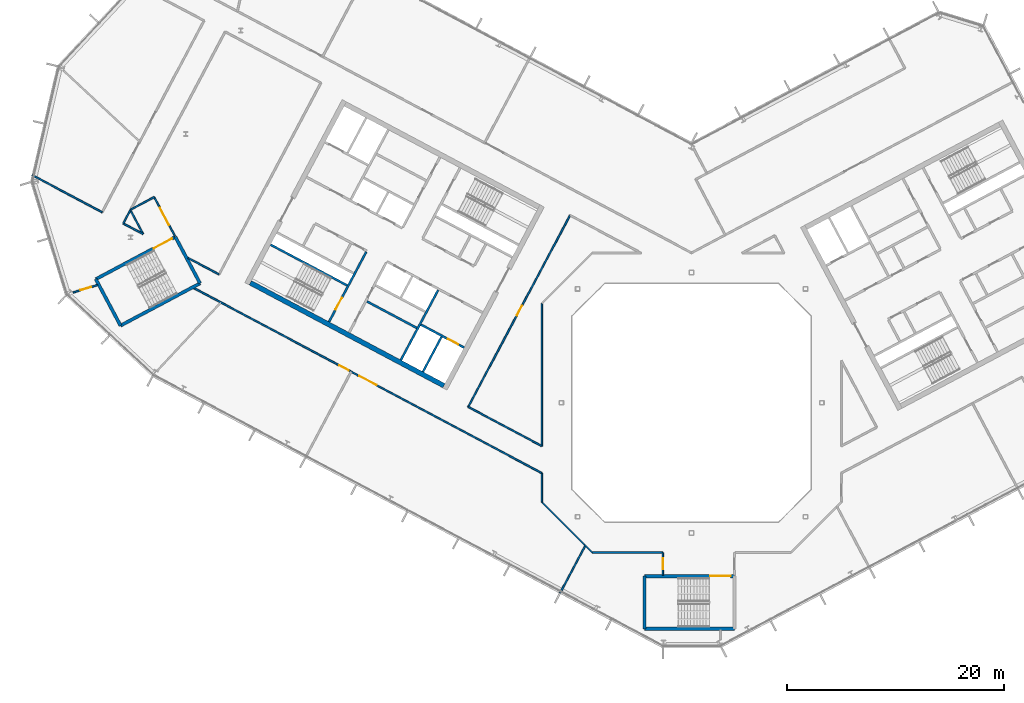
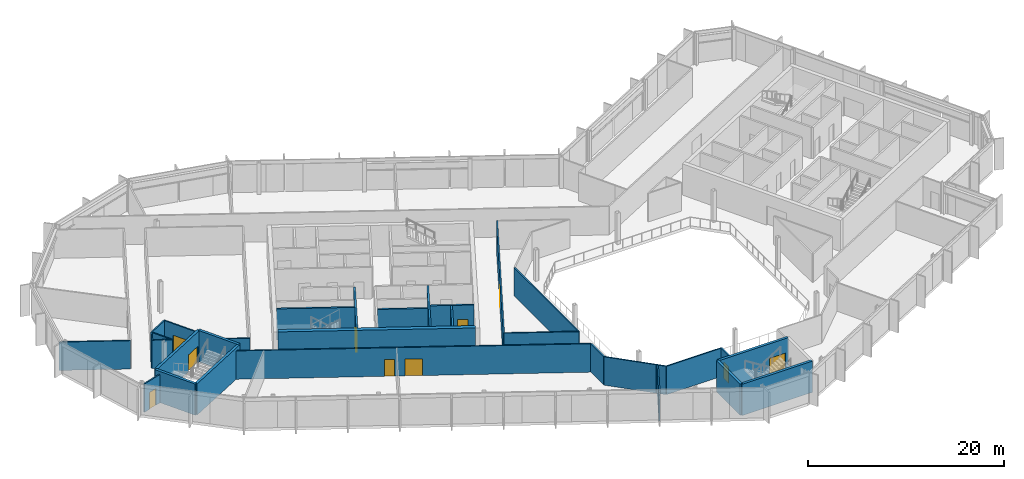
# One storey, part 12 of 25: 32 walls, 10 doors, 10 openings.
"""IFC4 building model written with IfcOpenShell, lengths in metres."""

import ifcopenshell
import ifcopenshell.guid

model = None  # the IFC model being written
_history = None  # IfcOwnerHistory: only IFC2X3 demands one
_inside = {}  # id of a spatial element -> (the spatial element, [elements in it])
_under = {}  # id of a project, library or spatial element -> (it, [spatial elements below it])
_declared = {}  # id of a project -> (the project, [libraries it declares])
_typed = {}  # id of a type object -> (the type object, [elements of that type])
_made_of = {}  # id of a material, layer set ... -> (it, [elements and type objects made of it])


def new_model(schema):
    """Start an empty IFC model of exactly this schema.

    Asked for "IFC4X3", IfcOpenShell would pick the latest addendum, in which some entities
    have other attributes; the version numbers below select the first issue.
    IFC2X3 requires an IfcOwnerHistory on every rooted entity: one is made here for all.
    """
    global model, _history
    if schema == "IFC4X3":
        model = ifcopenshell.file(schema_version=(4, 3, 0, 0))
    else:
        model = ifcopenshell.file(schema=schema)
    _inside.clear()
    _under.clear()
    _declared.clear()
    _typed.clear()
    _made_of.clear()
    _history = None
    if model.schema == "IFC2X3":
        org = make("IfcOrganization", Name="unknown")
        user = make(
            "IfcPersonAndOrganization",
            ThePerson=make("IfcPerson", FamilyName="unknown"),
            TheOrganization=org,
        )
        app = make(
            "IfcApplication",
            ApplicationDeveloper=org,
            Version="unknown",
            ApplicationFullName="unknown",
            ApplicationIdentifier="unknown",
        )
        _history = make(
            "IfcOwnerHistory",
            OwningUser=user,
            OwningApplication=app,
            ChangeAction="ADDED",
            CreationDate=0,
        )
    return model


def make(cls, **values):
    """One entity of the class cls with the attributes given. An attribute that is None is left unset."""
    return model.create_entity(
        cls, **{name: value for name, value in values.items() if value is not None}
    )


def rooted(cls, **values):
    """An entity with a GlobalId (a new one), such as an element, a storey or a relation."""
    return make(cls, GlobalId=ifcopenshell.guid.new(), OwnerHistory=_history, **values)


def si_unit(unit_type, name, prefix=None):
    """IfcSIUnit, for example si_unit("LENGTHUNIT", "METRE", prefix="MILLI")."""
    return make("IfcSIUnit", UnitType=unit_type, Prefix=prefix, Name=name)


def assignment(units):
    """IfcUnitAssignment: the units of a project."""
    return None if units is None else make("IfcUnitAssignment", Units=units)


def point(xyz):
    """IfcCartesianPoint."""
    return None if xyz is None else make("IfcCartesianPoint", Coordinates=xyz)


def direction(xyz):
    """IfcDirection."""
    return None if xyz is None else make("IfcDirection", DirectionRatios=xyz)


def frame(location, z_axis=None, x_axis=None):
    """IfcAxis2Placement3D, a coordinate frame: its origin and axes. An axis left out is left unset."""
    return make(
        "IfcAxis2Placement3D",
        Location=point(location),
        Axis=direction(z_axis),
        RefDirection=direction(x_axis),
    )


def frame_2d(location, x_axis=None):
    """IfcAxis2Placement2D, a coordinate frame in the plane: its origin and x axis."""
    return make(
        "IfcAxis2Placement2D", Location=point(location), RefDirection=direction(x_axis)
    )


def origin():
    """The frame at (0, 0, 0) with its axes left unset."""
    return frame((0.0, 0.0, 0.0))


def place(relative_to, where):
    """IfcLocalPlacement: puts the frame where relative to a parent placement (None: the world)."""
    return make(
        "IfcLocalPlacement", PlacementRelTo=relative_to, RelativePlacement=where
    )


def context(
    kind, dimensions, precision=None, world=None, true_north=None, identifier=None
):
    """IfcGeometricRepresentationContext, for example the 3D "Model" context."""
    return make(
        "IfcGeometricRepresentationContext",
        ContextIdentifier=identifier,
        ContextType=kind,
        CoordinateSpaceDimension=dimensions,
        Precision=precision,
        WorldCoordinateSystem=world,
        TrueNorth=true_north,
    )


def subcontext(parent, identifier, kind, view, scale=None):
    """IfcGeometricRepresentationSubContext, for example "Body" below "Model"."""
    return make(
        "IfcGeometricRepresentationSubContext",
        ContextIdentifier=identifier,
        ContextType=kind,
        ParentContext=parent,
        TargetScale=scale,
        TargetView=view,
    )


def project(units=None, contexts=None):
    """IfcProject with its units and contexts."""
    return rooted(
        "IfcProject",
        Name="project",
        RepresentationContexts=contexts,
        UnitsInContext=assignment(units),
    )


def spatial(cls, under=None, at=None, **own):
    """A site, building, storey or space (cls), placed at a placement, below another one or the project."""
    s = rooted(cls, ObjectPlacement=at, **own)
    if under is not None:
        _under.setdefault(under.id(), (under, []))[1].append(s)
    return s


def profile(cls, at=None, kind="AREA", **sizes):
    """A parametric profile (cls). Its sizes go by their IFC names, for example OverallWidth=200.0."""
    return make(cls, ProfileType=kind, Position=at, **sizes)


def rectangle(**sizes):
    """IfcRectangleProfileDef."""
    return profile("IfcRectangleProfileDef", **sizes)


def extrude(swept, where, along, depth):
    """IfcExtrudedAreaSolid: the profile swept, set in the frame where, extruded along a direction by depth."""
    return make(
        "IfcExtrudedAreaSolid",
        SweptArea=swept,
        Position=where,
        ExtrudedDirection=direction(along),
        Depth=depth,
    )


def shape(context_of_items, identifier, shape_type, items):
    """IfcShapeRepresentation: the items that make up one representation, for example the "Body"."""
    return make(
        "IfcShapeRepresentation",
        ContextOfItems=context_of_items,
        RepresentationIdentifier=identifier,
        RepresentationType=shape_type,
        Items=items,
    )


def material(Name=None, Category=None):
    """IfcMaterial."""
    return make("IfcMaterial", Name=Name, Category=Category)


def layer(
    of_material, thickness, ventilated=None, Name=None, Category=None, Priority=None
):
    """IfcMaterialLayer: one layer of a wall or slab, of a material (None: an air gap)."""
    return make(
        "IfcMaterialLayer",
        Material=of_material,
        LayerThickness=thickness,
        IsVentilated=ventilated,
        Name=Name,
        Category=Category,
        Priority=Priority,
    )


def layer_set(layers, Name=None):
    """IfcMaterialLayerSet."""
    return make("IfcMaterialLayerSet", MaterialLayers=layers, LayerSetName=Name)


def made_of(thing, what):
    """Note that an element or type object is made of a material, layer set ...; save() writes the relation."""
    if what is not None:
        _made_of.setdefault(what.id(), (what, []))[1].append(thing)
    return thing


def type_object(cls, material=None, **own):
    """A type object (cls), such as IfcWallType, which elements share."""
    return made_of(rooted(cls, **own), material)


def element(
    cls,
    number,
    at=None,
    inside=None,
    cuts=None,
    type_object=None,
    material=None,
    context=None,
    identifier="Body",
    shape_type=None,
    held_by="IfcProductDefinitionShape",
    body=None,
    shapes=None,
    **own,
):
    """One element of the class cls, such as IfcWall. Its Tag is "e" and its number.

    at: its placement. inside: the storey or other place that contains it. cuts: it is an
    opening in that element (IfcRelVoidsElement). A single representation is given by context,
    identifier, shape_type and body (its items); several are given by shapes. held_by: the class
    of the entity that holds the representations. save() writes the other relations.
    """
    e = rooted(cls, Tag="e%d" % number, ObjectPlacement=at, **own)
    if body is not None:
        shapes = [shape(context, identifier, shape_type, body)]
    if shapes is not None:
        e.Representation = make(held_by, Representations=shapes)
    if inside is not None:
        _inside.setdefault(inside.id(), (inside, []))[1].append(e)
    if cuts is not None:
        rooted(
            "IfcRelVoidsElement", RelatingBuildingElement=cuts, RelatedOpeningElement=e
        )
    if type_object is not None:
        _typed.setdefault(type_object.id(), (type_object, []))[1].append(e)
    return made_of(e, material)


def fill(opening, filler):
    """IfcRelFillsElement: the door or window that sits in an opening."""
    return rooted(
        "IfcRelFillsElement",
        RelatingOpeningElement=opening,
        RelatedBuildingElement=filler,
    )


def aggregate(whole, parts):
    """IfcRelAggregates: a whole, such as a stair, and the parts it consists of."""
    return rooted("IfcRelAggregates", RelatingObject=whole, RelatedObjects=parts)


def save(model, path):
    """Write the relations noted so far, then the file.

    IfcRelAggregates (storeys below a building ...), IfcRelContainedInSpatialStructure (elements
    in a storey), IfcRelDefinesByType, IfcRelAssociatesMaterial and IfcRelDeclares: one each for
    every whole, place, type object, material and project.
    """
    for whole, parts in _under.values():
        aggregate(whole, parts)
    for where, things in _inside.values():
        rooted(
            "IfcRelContainedInSpatialStructure",
            RelatedElements=things,
            RelatingStructure=where,
        )
    for kind, things in _typed.values():
        rooted("IfcRelDefinesByType", RelatedObjects=things, RelatingType=kind)
    for what, things in _made_of.values():
        rooted("IfcRelAssociatesMaterial", RelatedObjects=things, RelatingMaterial=what)
    for by, libraries in _declared.values():
        rooted("IfcRelDeclares", RelatingContext=by, RelatedDefinitions=libraries)
    model.write(path)


model = new_model("IFC4")

# Units and contexts
model_context = context("Model", 3, precision=1e-05, world=origin(), true_north=direction((0.0, 1.0)))
body_context = subcontext(model_context, "Body", "Model", "MODEL_VIEW")
ifc_project = project(units=[si_unit("LENGTHUNIT", "METRE"), si_unit("AREAUNIT", "SQUARE_METRE"), si_unit("VOLUMEUNIT", "CUBIC_METRE"), si_unit("PLANEANGLEUNIT", "RADIAN"), si_unit("MASSUNIT", "GRAM", prefix="KILO")], contexts=[model_context])

# Site, building, storey
site_placement = place(None, origin())
site = spatial("IfcSite", under=ifc_project, at=site_placement, CompositionType="ELEMENT")
building_placement = place(site_placement, origin())
building = spatial("IfcBuilding", under=site, at=building_placement, Name="Cormorant Relay Tower", CompositionType="ELEMENT")
storey_placement = place(building_placement, frame((0.0, 0.0, 273.60009765625)))
storey = spatial("IfcBuildingStorey", under=building, at=storey_placement, Name="L61", CompositionType="ELEMENT", Elevation=273.60009765625)

# Walls
ifc_material_1 = material(Name="Concrete 40 MPa", Category="concrete")
ifc_layer_1 = layer(ifc_material_1, 0.199951171875)
ifc_layer_set_1 = layer_set([ifc_layer_1], Name="Core internal wall 200")
wall_type_1 = type_object("IfcWallType", Name="Core internal wall 200", PredefinedType="SOLIDWALL", material=ifc_layer_set_1)
wall_1_placement = place(storey_placement, frame((-25.326416015625, 6.8974609375, 0.0), z_axis=(0.0, 0.0, 1.0), x_axis=(-0.882953967957, 0.469459572775, 0.0)))
element("IfcWall", 1, at=wall_1_placement, inside=storey, type_object=wall_type_1, Name="L61 core A shaft and room wall", PredefinedType="SOLIDWALL", context=body_context, shape_type="SweptSolid", body=[
    extrude(rectangle(XDim=5.199951171875, YDim=0.199951171875, at=frame_2d((2.60009765625, 0.0))), origin(), (0.0, 0.0, 1.0), 3.89990234375),
])
ifc_material_2 = material(Name="Concrete 50 MPa", Category="concrete")
ifc_layer_2 = layer(ifc_material_2, 0.199951171875)
ifc_layer_set_2 = layer_set([ifc_layer_2], Name="Core shaft wall 200")
wall_type_2 = type_object("IfcWallType", Name="Core shaft wall 200", PredefinedType="SHEAR", material=ifc_layer_set_2)
wall_2_placement = place(storey_placement, frame((-23.04296875, 6.07958984375, 0.0), z_axis=(0.0, 0.0, 1.0), x_axis=(-0.469494272526, -0.882935517501, 0.0)))
element("IfcWall", 2, at=wall_2_placement, inside=storey, type_object=wall_type_2, Name="L61 core A shaft wall", PredefinedType="SHEAR", context=body_context, shape_type="SweptSolid", body=[
    extrude(rectangle(XDim=3.64990234375, YDim=0.199951171875, at=frame_2d((1.824951171875, 0.0))), origin(), (0.0, 0.0, 1.0), 3.89990234375),
])
wall_3_placement = place(storey_placement, frame((-23.360107421875, 10.38232421875, 0.0), z_axis=(0.0, 0.0, 1.0), x_axis=(-0.469480409012, -0.88294288918, 0.0)))
element("IfcWall", 3, at=wall_3_placement, inside=storey, type_object=wall_type_2, Name="L61 core A shaft wall", PredefinedType="SHEAR", context=body_context, shape_type="SweptSolid", body=[
    extrude(rectangle(XDim=7.300048828125, YDim=0.199951171875, at=frame_2d((3.64990234375, 0.0))), origin(), (0.0, 0.0, 1.0), 3.89990234375),
])

# Wall, opening, door
wall_4_placement = place(storey_placement, frame((-29.982421875, 13.9033203125, 0.0), z_axis=(0.0, 0.0, 1.0), x_axis=(-0.469454336211, -0.882956752176, 0.0)))
wall_4 = element("IfcWall", 4, at=wall_4_placement, inside=storey, type_object=wall_type_2, Name="L61 core A shaft wall", PredefinedType="SHEAR", context=body_context, shape_type="SweptSolid", body=[
    extrude(rectangle(XDim=7.300048828125, YDim=0.199951171875, at=frame_2d((3.64990234375, 0.0))), origin(), (0.0, 0.0, 1.0), 3.89990234375),
])
opening_1_placement = place(wall_4_placement, frame((4.800048828125, 0.0, 0.0)))
opening_1 = element("IfcOpeningElement", 5, at=opening_1_placement, cuts=wall_4, Name="Opening CDB-039", PredefinedType="OPENING", context=body_context, shape_type="SweptSolid", body=[
    extrude(rectangle(XDim=1.199951171875, YDim=2.10009765625, at=frame_2d((0.60009765625, 1.050048828125))), frame((0.0, 0.10986328125, 0.0), z_axis=(0.0, -1.0, 0.0), x_axis=(1.0, 0.0, 0.0)), (0.0, 0.0, 1.0), 0.219970703125),
])
ifc_material_3 = material(Name="Steel fire door", Category="steel")
door_type_1 = type_object("IfcDoorType", Name="Core stair door 1200x2100", OperationType="SINGLE_SWING_LEFT", PredefinedType="DOOR", material=ifc_material_3)
door_1_placement = place(opening_1_placement, frame((1.199951171875, 0.0, 0.0), z_axis=(0.0, 0.0, 1.0), x_axis=(-1.0, 0.0, 0.0)))
door_1 = element("IfcDoor", 6, at=door_1_placement, inside=storey, type_object=door_type_1, Name="Core stair door 1200x2100", OperationType="SINGLE_SWING_RIGHT", OverallHeight=2.10009765625, OverallWidth=1.199951171875, PredefinedType="DOOR", context=body_context, shape_type="SweptSolid", body=[
    extrude(rectangle(XDim=1.199951171875, YDim=2.10009765625, at=frame_2d((0.60009765625, 1.050048828125))), frame((0.0, 0.02490234375, 0.0), z_axis=(0.0, -1.0, 0.0), x_axis=(1.0, 0.0, 0.0)), (0.0, 0.0, 1.0), 0.050048828125),
])
fill(opening_1, door_1)

wall_5_placement = place(storey_placement, frame((-20.96533203125, 5.088134765625, 0.0), z_axis=(0.0, 0.0, 1.0), x_axis=(-0.882925986334, 0.469512196493, 0.0)))
wall_5 = element("IfcWall", 7, at=wall_5_placement, inside=storey, type_object=wall_type_2, Name="L61 core A shaft wall", PredefinedType="SHEAR", context=body_context, shape_type="SweptSolid", body=[
    extrude(rectangle(XDim=4.5, YDim=0.199951171875, at=frame_2d((2.25, 0.0))), origin(), (0.0, 0.0, 1.0), 3.89990234375),
])
opening_2_placement = place(wall_5_placement, frame((0.60009765625, 0.0, 0.0)))
opening_2 = element("IfcOpeningElement", 8, at=opening_2_placement, cuts=wall_5, Name="Opening LD1-063", PredefinedType="OPENING", context=body_context, shape_type="SweptSolid", body=[
    extrude(rectangle(XDim=1.10009765625, YDim=2.10009765625, at=frame_2d((0.550048828125, 1.050048828125))), frame((0.0, 0.10986328125, 0.0), z_axis=(0.0, -1.0, 0.0), x_axis=(1.0, 0.0, 0.0)), (0.0, 0.0, 1.0), 0.219970703125),
])
ifc_material_4 = material(Name="Stainless steel 316", Category="steel")
door_type_2 = type_object("IfcDoorType", Name="Lift landing door 1100x2100", OperationType="DOUBLE_DOOR_SLIDING", PredefinedType="DOOR", material=ifc_material_4)
door_2_placement = place(opening_2_placement, origin())
door_2 = element("IfcDoor", 9, at=door_2_placement, inside=storey, type_object=door_type_2, Name="FF1 landing door", OperationType="DOUBLE_DOOR_SLIDING", OverallHeight=2.10009765625, OverallWidth=1.10009765625, PredefinedType="DOOR", context=body_context, shape_type="SweptSolid", body=[
    extrude(rectangle(XDim=1.10009765625, YDim=2.10009765625, at=frame_2d((0.550048828125, 1.050048828125))), frame((0.0, 0.02490234375, 0.0), z_axis=(0.0, -1.0, 0.0), x_axis=(1.0, 0.0, 0.0)), (0.0, 0.0, 1.0), 0.050048828125),
])
fill(opening_2, door_2)

# Walls
wall_6_placement = place(storey_placement, frame((-31.7373046875, 10.815673828125, 0.0), z_axis=(0.0, 0.0, 1.0), x_axis=(-0.882940221191, 0.469485426614, 0.0)))
element("IfcWall", 10, at=wall_6_placement, inside=storey, type_object=wall_type_2, Name="L61 core A shaft wall", PredefinedType="SHEAR", context=body_context, shape_type="SweptSolid", body=[
    extrude(rectangle(XDim=8.0, YDim=0.199951171875, at=frame_2d((4.0, 0.0))), origin(), (0.0, 0.0, 1.0), 3.89990234375),
])
ifc_material_5 = material(Name="Concrete 50 MPa", Category="concrete")
ifc_layer_3 = layer(ifc_material_5, 0.449951171875)
ifc_layer_set_3 = layer_set([ifc_layer_3], Name="Core wall 450")
wall_type_3 = type_object("IfcWallType", Name="Core wall 450", PredefinedType="SHEAR", material=ifc_layer_set_3)
wall_7_placement = place(storey_placement, frame((-22.83154296875, 1.578369140625, 0.0), z_axis=(0.0, 0.0, 1.0), x_axis=(-0.88294509198, 0.469476266226, 0.0)))
element("IfcWall", 11, at=wall_7_placement, inside=storey, type_object=wall_type_3, Name="L61 core A wall", PredefinedType="SHEAR", context=body_context, shape_type="SweptSolid", body=[
    extrude(rectangle(XDim=20.199951171875, YDim=0.449951171875, at=frame_2d((10.10009765625, 0.0))), origin(), (0.0, 0.0, 1.0), 3.89990234375),
])
ifc_material_6 = material(Name="Gypsum board fire partition")
ifc_layer_4 = layer(ifc_material_6, 0.14990234375)
ifc_layer_set_4 = layer_set([ifc_layer_4], Name="Corridor partition 150 EI 60")
wall_type_4 = type_object("IfcWallType", Name="Corridor partition 150 EI 60", PredefinedType="PARTITIONING", material=ifc_layer_set_4)
wall_8_placement = place(storey_placement, frame((-54.31591796875, 17.554931640625, 0.0), z_axis=(0.0, 0.0, 1.0), x_axis=(-0.882945267795, 0.469475935569, 0.0)))
element("IfcWall", 12, at=wall_8_placement, inside=storey, type_object=wall_type_4, Name="wall/L61/part/004", PredefinedType="PARTITIONING", context=body_context, shape_type="SweptSolid", body=[
    extrude(rectangle(XDim=7.32763671875, YDim=0.14990234375, at=frame_2d((3.663818359375, 0.0))), origin(), (0.0, 0.0, 1.0), 3.539794921875),
])

# Wall, opening, door
wall_9_placement = place(storey_placement, frame((-54.73193359375, 10.85693359375, 0.0), z_axis=(0.0, 0.0, 1.0), x_axis=(-0.956231519395, -0.292611143525, 0.0)))
wall_9 = element("IfcWall", 13, at=wall_9_placement, inside=storey, type_object=wall_type_4, Name="wall/L61/part/005", PredefinedType="PARTITIONING", context=body_context, shape_type="SweptSolid", body=[
    extrude(rectangle(XDim=2.385498046875, YDim=0.14990234375, at=frame_2d((1.19287109375, 0.0))), origin(), (0.0, 0.0, 1.0), 3.539794921875),
])
opening_3_placement = place(wall_9_placement, frame((0.64990234375, 0.0, 0.0)))
opening_3 = element("IfcOpeningElement", 14, at=opening_3_placement, cuts=wall_9, Name="Opening DS-205", PredefinedType="OPENING", context=body_context, shape_type="SweptSolid", body=[
    extrude(rectangle(XDim=1.0, YDim=2.10009765625, at=frame_2d((0.5, 1.050048828125))), frame((0.0, 0.0849609375, 0.0), z_axis=(0.0, -1.0, 0.0), x_axis=(1.0, 0.0, 0.0)), (0.0, 0.0, 1.0), 0.169921875),
])
ifc_material_7 = material(Name="Timber door leaf", Category="wood")
door_type_3 = type_object("IfcDoorType", Name="Suite door 1000x2100", OperationType="SINGLE_SWING_LEFT", PredefinedType="DOOR", material=ifc_material_7)
door_3_placement = place(opening_3_placement, origin())
door_3 = element("IfcDoor", 15, at=door_3_placement, inside=storey, type_object=door_type_3, Name="door/L61/008", OperationType="SINGLE_SWING_LEFT", OverallHeight=2.10009765625, OverallWidth=1.0, PredefinedType="DOOR", context=body_context, shape_type="SweptSolid", body=[
    extrude(rectangle(XDim=1.0, YDim=2.10009765625, at=frame_2d((0.5, 1.050048828125))), frame((0.0, 0.02490234375, 0.0), z_axis=(0.0, -1.0, 0.0), x_axis=(1.0, 0.0, 0.0)), (0.0, 0.0, 1.0), 0.050048828125),
])
fill(opening_3, door_3)

wall_10_placement = place(storey_placement, frame((-47.62109375, 15.3779296875, 0.0), z_axis=(0.0, 0.0, 1.0), x_axis=(-0.469542997944, 0.882909606404, 0.0)))
wall_10 = element("IfcWall", 16, at=wall_10_placement, inside=storey, type_object=wall_type_4, Name="wall/L61/part/010", PredefinedType="PARTITIONING", context=body_context, shape_type="SweptSolid", body=[
    extrude(rectangle(XDim=4.050537109375, YDim=0.14990234375, at=frame_2d((2.025390625, 0.0))), origin(), (0.0, 0.0, 1.0), 3.539794921875),
])
opening_4_placement = place(wall_10_placement, frame((1.14990234375, 0.0, 0.0)))
opening_4 = element("IfcOpeningElement", 17, at=opening_4_placement, cuts=wall_10, Name="Opening DD-035", PredefinedType="OPENING", context=body_context, shape_type="SweptSolid", body=[
    extrude(rectangle(XDim=1.800048828125, YDim=2.10009765625, at=frame_2d((0.89990234375, 1.050048828125))), frame((0.0, 0.0849609375, 0.0), z_axis=(0.0, -1.0, 0.0), x_axis=(1.0, 0.0, 0.0)), (0.0, 0.0, 1.0), 0.169921875),
])
ifc_material_8 = material(Name="Timber door leaf", Category="wood")
door_type_4 = type_object("IfcDoorType", Name="Suite double door 1800x2100", OperationType="DOUBLE_DOOR_SINGLE_SWING", PredefinedType="DOOR", material=ifc_material_8)
door_4_placement = place(opening_4_placement, frame((1.800048828125, 0.0, 0.0), z_axis=(0.0, 0.0, 1.0), x_axis=(-1.0, 0.0, 0.0)))
door_4 = element("IfcDoor", 18, at=door_4_placement, inside=storey, type_object=door_type_4, Name="door/L61/003", OperationType="DOUBLE_DOOR_SINGLE_SWING", OverallHeight=2.10009765625, OverallWidth=1.800048828125, PredefinedType="DOOR", context=body_context, shape_type="SweptSolid", body=[
    extrude(rectangle(XDim=1.800048828125, YDim=2.10009765625, at=frame_2d((0.89990234375, 1.050048828125))), frame((0.0, 0.02490234375, 0.0), z_axis=(0.0, -1.0, 0.0), x_axis=(1.0, 0.0, 0.0)), (0.0, 0.0, 1.0), 0.050048828125),
])
fill(opening_4, door_4)

# Walls
wall_11_placement = place(storey_placement, frame((-49.52294921875, 18.9541015625, 0.0), z_axis=(0.0, 0.0, 1.0), x_axis=(-0.882767334528, -0.469810422501, 0.0)))
element("IfcWall", 19, at=wall_11_placement, inside=storey, type_object=wall_type_4, Name="wall/L61/part/011", PredefinedType="PARTITIONING", context=body_context, shape_type="SweptSolid", body=[
    extrude(rectangle(XDim=2.460693359375, YDim=0.14990234375, at=frame_2d((1.23046875, 0.0))), origin(), (0.0, 0.0, 1.0), 3.539794921875),
])
wall_12_placement = place(storey_placement, frame((-43.5439453125, 11.826904296875, 0.0), z_axis=(0.0, 0.0, 1.0), x_axis=(-0.882974130461, 0.469421649411, 0.0)))
element("IfcWall", 20, at=wall_12_placement, inside=storey, type_object=wall_type_4, Name="wall/L61/part/015", PredefinedType="PARTITIONING", context=body_context, shape_type="SweptSolid", body=[
    extrude(rectangle(XDim=3.238037109375, YDim=0.14990234375, at=frame_2d((1.619140625, 0.0))), origin(), (0.0, 0.0, 1.0), 3.539794921875),
])

# Wall, openings, doors
wall_13_placement = place(storey_placement, frame((-13.800048828125, -6.47998046875, 0.0), z_axis=(0.0, 0.0, 1.0), x_axis=(-0.882943991273, 0.469478336322, 0.0)))
wall_13 = element("IfcWall", 21, at=wall_13_placement, inside=storey, type_object=wall_type_4, Name="wall/L61/part/016", PredefinedType="PARTITIONING", context=body_context, shape_type="SweptSolid", body=[
    extrude(rectangle(XDim=36.32958984375, YDim=0.14990234375, at=frame_2d((18.164794921875, 0.0))), origin(), (0.0, 0.0, 1.0), 3.539794921875),
])
opening_5_placement = place(wall_13_placement, frame((20.14990234375, 0.0, 0.0)))
opening_5 = element("IfcOpeningElement", 22, at=opening_5_placement, cuts=wall_13, Name="Opening DS-215", PredefinedType="OPENING", context=body_context, shape_type="SweptSolid", body=[
    extrude(rectangle(XDim=1.0, YDim=2.10009765625, at=frame_2d((0.5, 1.050048828125))), frame((0.0, 0.0849609375, 0.0), z_axis=(0.0, -1.0, 0.0), x_axis=(1.0, 0.0, 0.0)), (0.0, 0.0, 1.0), 0.169921875),
])
opening_6_placement = place(wall_13_placement, frame((17.25, 0.0, 0.0)))
opening_6 = element("IfcOpeningElement", 23, at=opening_6_placement, cuts=wall_13, Name="Opening DD-037", PredefinedType="OPENING", context=body_context, shape_type="SweptSolid", body=[
    extrude(rectangle(XDim=1.800048828125, YDim=2.10009765625, at=frame_2d((0.89990234375, 1.050048828125))), frame((0.0, 0.0849609375, 0.0), z_axis=(0.0, -1.0, 0.0), x_axis=(1.0, 0.0, 0.0)), (0.0, 0.0, 1.0), 0.169921875),
])
door_5_placement = place(opening_5_placement, origin())
door_5 = element("IfcDoor", 24, at=door_5_placement, inside=storey, type_object=door_type_3, Name="door/L61/009", OperationType="SINGLE_SWING_LEFT", OverallHeight=2.10009765625, OverallWidth=1.0, PredefinedType="DOOR", context=body_context, shape_type="SweptSolid", body=[
    extrude(rectangle(XDim=1.0, YDim=2.10009765625, at=frame_2d((0.5, 1.050048828125))), frame((0.0, 0.02490234375, 0.0), z_axis=(0.0, -1.0, 0.0), x_axis=(1.0, 0.0, 0.0)), (0.0, 0.0, 1.0), 0.050048828125),
])
fill(opening_5, door_5)
door_6_placement = place(opening_6_placement, origin())
door_6 = element("IfcDoor", 25, at=door_6_placement, inside=storey, type_object=door_type_4, Name="door/L61/010", OperationType="DOUBLE_DOOR_SINGLE_SWING", OverallHeight=2.10009765625, OverallWidth=1.800048828125, PredefinedType="DOOR", context=body_context, shape_type="SweptSolid", body=[
    extrude(rectangle(XDim=1.800048828125, YDim=2.10009765625, at=frame_2d((0.89990234375, 1.050048828125))), frame((0.0, 0.02490234375, 0.0), z_axis=(0.0, -1.0, 0.0), x_axis=(1.0, 0.0, 0.0)), (0.0, 0.0, 1.0), 0.050048828125),
])
fill(opening_6, door_6)

# Walls
wall_14_placement = place(storey_placement, frame((-9.89892578125, -13.06005859375, 0.0), z_axis=(0.0, 0.0, 1.0), x_axis=(-0.707195291234, 0.707018260058, 0.0)))
element("IfcWall", 26, at=wall_14_placement, inside=storey, type_object=wall_type_4, Name="wall/L61/part/021", PredefinedType="PARTITIONING", context=body_context, shape_type="SweptSolid", body=[
    extrude(rectangle(XDim=5.516357421875, YDim=0.14990234375, at=frame_2d((2.75830078125, 0.0))), origin(), (0.0, 0.0, 1.0), 3.539794921875),
])
wall_15_placement = place(storey_placement, frame((-13.800048828125, -9.159912109375, 0.0), z_axis=(0.0, 0.0, 1.0), x_axis=(0.0, 1.0, 0.0)))
element("IfcWall", 27, at=wall_15_placement, inside=storey, type_object=wall_type_4, Name="wall/L61/part/022", PredefinedType="PARTITIONING", context=body_context, shape_type="SweptSolid", body=[
    extrude(rectangle(XDim=2.65380859375, YDim=0.14990234375, at=frame_2d((1.326904296875, 0.0))), origin(), (0.0, 0.0, 1.0), 3.539794921875),
])
wall_16_placement = place(storey_placement, frame((-9.159912109375, -13.800048828125, 0.0), z_axis=(0.0, 0.0, 1.0), x_axis=(-0.706639735909, 0.707573518183, 0.0)))
element("IfcWall", 28, at=wall_16_placement, inside=storey, type_object=wall_type_4, Name="wall/L61/part/024", PredefinedType="PARTITIONING", context=body_context, shape_type="SweptSolid", body=[
    extrude(rectangle(XDim=1.0458984375, YDim=0.14990234375, at=frame_2d((0.52294921875, 0.0))), origin(), (0.0, 0.0, 1.0), 3.539794921875),
])

# Wall, opening, door
wall_17_placement = place(storey_placement, frame((-2.64892578125, -15.875, 0.0), z_axis=(0.0, 0.0, 1.0), x_axis=(0.0, 1.0, 0.0)))
wall_17 = element("IfcWall", 29, at=wall_17_placement, inside=storey, type_object=wall_type_4, Name="wall/L61/part/025", PredefinedType="PARTITIONING", context=body_context, shape_type="SweptSolid", body=[
    extrude(rectangle(XDim=2.074951171875, YDim=0.14990234375, at=frame_2d((1.03759765625, 0.0))), origin(), (0.0, 0.0, 1.0), 3.539794921875),
])
opening_7_placement = place(wall_17_placement, frame((0.550048828125, 0.0, 0.0)))
opening_7 = element("IfcOpeningElement", 30, at=opening_7_placement, cuts=wall_17, Name="Opening DS-216", PredefinedType="OPENING", context=body_context, shape_type="SweptSolid", body=[
    extrude(rectangle(XDim=1.0, YDim=2.10009765625, at=frame_2d((0.5, 1.050048828125))), frame((0.0, 0.0849609375, 0.0), z_axis=(0.0, -1.0, 0.0), x_axis=(1.0, 0.0, 0.0)), (0.0, 0.0, 1.0), 0.169921875),
])
door_7_placement = place(opening_7_placement, origin())
door_7 = element("IfcDoor", 31, at=door_7_placement, inside=storey, type_object=door_type_3, Name="door/L61/011", OperationType="SINGLE_SWING_RIGHT", OverallHeight=2.10009765625, OverallWidth=1.0, PredefinedType="DOOR", context=body_context, shape_type="SweptSolid", body=[
    extrude(rectangle(XDim=1.0, YDim=2.10009765625, at=frame_2d((0.5, 1.050048828125))), frame((0.0, 0.02490234375, 0.0), z_axis=(0.0, -1.0, 0.0), x_axis=(1.0, 0.0, 0.0)), (0.0, 0.0, 1.0), 0.050048828125),
])
fill(opening_7, door_7)

# Walls
wall_18_placement = place(storey_placement, frame((-2.64892578125, -13.800048828125, 0.0), z_axis=(0.0, 0.0, 1.0), x_axis=(-1.0, 0.0, 0.0)))
element("IfcWall", 32, at=wall_18_placement, inside=storey, type_object=wall_type_4, Name="wall/L61/part/026", PredefinedType="PARTITIONING", context=body_context, shape_type="SweptSolid", body=[
    extrude(rectangle(XDim=6.510986328125, YDim=0.14990234375, at=frame_2d((3.25537109375, 0.0))), origin(), (0.0, 0.0, 1.0), 3.539794921875),
])
wall_19_placement = place(storey_placement, frame((-51.717041015625, 17.757080078125, 0.0), z_axis=(0.0, 0.0, 1.0), x_axis=(-0.469618761384, -0.882869310236, 0.0)))
element("IfcWall", 33, at=wall_19_placement, inside=storey, type_object=wall_type_4, Name="wall/L61/part/043", PredefinedType="PARTITIONING", context=body_context, shape_type="SweptSolid", body=[
    extrude(rectangle(XDim=1.39892578125, YDim=0.14990234375, at=frame_2d((0.699462890625, 0.0))), origin(), (0.0, 0.0, 1.0), 3.539794921875),
])
wall_20_placement = place(storey_placement, frame((-52.3740234375, 16.52197265625, 0.0), z_axis=(0.0, 0.0, 1.0), x_axis=(0.882981472085, -0.469407839682, 0.0)))
element("IfcWall", 34, at=wall_20_placement, inside=storey, type_object=wall_type_4, Name="wall/L61/part/044", PredefinedType="PARTITIONING", context=body_context, shape_type="SweptSolid", body=[
    extrude(rectangle(XDim=2.072509765625, YDim=0.14990234375, at=frame_2d((1.0361328125, 0.0))), origin(), (0.0, 0.0, 1.0), 3.539794921875),
])
wall_21_placement = place(storey_placement, frame((-50.5439453125, 15.549072265625, 0.0), z_axis=(0.0, 0.0, 1.0), x_axis=(-0.469183782948, 0.883100547967, 0.0)))
element("IfcWall", 35, at=wall_21_placement, inside=storey, type_object=wall_type_4, Name="wall/L61/part/045", PredefinedType="PARTITIONING", context=body_context, shape_type="SweptSolid", body=[
    extrude(rectangle(XDim=2.500244140625, YDim=0.14990234375, at=frame_2d((1.25, 0.0))), origin(), (0.0, 0.0, 1.0), 3.539794921875),
])

# Wall, opening, door
wall_22_placement = place(storey_placement, frame((-20.587890625, -0.37890625, 0.0), z_axis=(0.0, 0.0, 1.0), x_axis=(0.469489882812, 0.882937851685, 0.0)))
wall_22 = element("IfcWall", 36, at=wall_22_placement, inside=storey, type_object=wall_type_4, Name="wall/L61/part/046", PredefinedType="PARTITIONING", context=body_context, shape_type="SweptSolid", body=[
    extrude(rectangle(XDim=20.000244140625, YDim=0.14990234375, at=frame_2d((10.0, 0.0))), origin(), (0.0, 0.0, 1.0), 3.539794921875),
])
opening_8_placement = place(wall_22_placement, frame((9.550048828125, 0.0, 0.0)))
opening_8 = element("IfcOpeningElement", 37, at=opening_8_placement, cuts=wall_22, Name="Opening DS-117", PredefinedType="OPENING", context=body_context, shape_type="SweptSolid", body=[
    extrude(rectangle(XDim=1.0, YDim=2.10009765625, at=frame_2d((0.5, 1.050048828125))), frame((0.0, 0.0849609375, 0.0), z_axis=(0.0, -1.0, 0.0), x_axis=(1.0, 0.0, 0.0)), (0.0, 0.0, 1.0), 0.169921875),
])
door_8_placement = place(opening_8_placement, frame((1.0, 0.0, 0.0), z_axis=(0.0, 0.0, 1.0), x_axis=(-1.0, 0.0, 0.0)))
door_8 = element("IfcDoor", 38, at=door_8_placement, inside=storey, type_object=door_type_3, Name="door/L61/004", OperationType="SINGLE_SWING_LEFT", OverallHeight=2.10009765625, OverallWidth=1.0, PredefinedType="DOOR", context=body_context, shape_type="SweptSolid", body=[
    extrude(rectangle(XDim=1.0, YDim=2.10009765625, at=frame_2d((0.5, 1.050048828125))), frame((0.0, 0.02490234375, 0.0), z_axis=(0.0, -1.0, 0.0), x_axis=(1.0, 0.0, 0.0)), (0.0, 0.0, 1.0), 0.050048828125),
])
fill(opening_8, door_8)

# Walls
wall_23_placement = place(storey_placement, frame((-13.800048828125, 9.159912109375, 0.0), z_axis=(0.0, 0.0, 1.0), x_axis=(0.0, -1.0, 0.0)))
element("IfcWall", 39, at=wall_23_placement, inside=storey, type_object=wall_type_4, Name="wall/L61/part/050", PredefinedType="PARTITIONING", context=body_context, shape_type="SweptSolid", body=[
    extrude(rectangle(XDim=13.14794921875, YDim=0.14990234375, at=frame_2d((6.573974609375, 0.0))), origin(), (0.0, 0.0, 1.0), 3.539794921875),
])
wall_24_placement = place(storey_placement, frame((-13.800048828125, -3.988037109375, 0.0), z_axis=(0.0, 0.0, 1.0), x_axis=(-0.882949137368, 0.469468657976, 0.0)))
element("IfcWall", 40, at=wall_24_placement, inside=storey, type_object=wall_type_4, Name="wall/L61/part/051", PredefinedType="PARTITIONING", context=body_context, shape_type="SweptSolid", body=[
    extrude(rectangle(XDim=7.687744140625, YDim=0.14990234375, at=frame_2d((3.84375, 0.0))), origin(), (0.0, 0.0, 1.0), 3.539794921875),
])
ifc_material_9 = material(Name="Concrete 50 MPa", Category="concrete")
ifc_layer_5 = layer(ifc_material_9, 0.300048828125)
ifc_layer_set_5 = layer_set([ifc_layer_5], Name="Remote stair wall 300")
wall_type_5 = type_object("IfcWallType", Name="Remote stair wall 300", PredefinedType="SHEAR", material=ifc_layer_set_5)
wall_25_placement = place(storey_placement, frame((3.949951171875, -20.824951171875, 0.0), z_axis=(0.0, 0.0, 1.0), x_axis=(-1.0, 0.0, 0.0)))
element("IfcWall", 41, at=wall_25_placement, inside=storey, type_object=wall_type_5, Name="L61 exit stair RK1 wall", PredefinedType="SHEAR", context=body_context, shape_type="SweptSolid", body=[
    extrude(rectangle(XDim=8.300048828125, YDim=0.300048828125, at=frame_2d((4.14990234375, 0.0))), origin(), (0.0, 0.0, 1.0), 3.89990234375),
])
wall_26_placement = place(storey_placement, frame((-4.35009765625, -20.824951171875, 0.0), z_axis=(0.0, 0.0, 1.0), x_axis=(0.0, 1.0, 0.0)))
element("IfcWall", 42, at=wall_26_placement, inside=storey, type_object=wall_type_5, Name="L61 exit stair RK1 wall", PredefinedType="SHEAR", context=body_context, shape_type="SweptSolid", body=[
    extrude(rectangle(XDim=4.849853515625, YDim=0.300048828125, at=frame_2d((2.4248046875, 0.0))), origin(), (0.0, 0.0, 1.0), 3.89990234375),
])

# Wall, opening, door
wall_27_placement = place(storey_placement, frame((-4.35009765625, -15.97509765625, 0.0), z_axis=(0.0, 0.0, 1.0), x_axis=(1.0, 0.0, 0.0)))
wall_27 = element("IfcWall", 43, at=wall_27_placement, inside=storey, type_object=wall_type_5, Name="L61 exit stair RK1 wall", PredefinedType="SHEAR", context=body_context, shape_type="SweptSolid", body=[
    extrude(rectangle(XDim=8.300048828125, YDim=0.300048828125, at=frame_2d((4.14990234375, 0.0))), origin(), (0.0, 0.0, 1.0), 3.89990234375),
])
opening_9_placement = place(wall_27_placement, frame((6.050048828125, 0.0, 0.0)))
opening_9 = element("IfcOpeningElement", 44, at=opening_9_placement, cuts=wall_27, Name="Opening CDE-014", PredefinedType="OPENING", context=body_context, shape_type="SweptSolid", body=[
    extrude(rectangle(XDim=1.89990234375, YDim=2.10009765625, at=frame_2d((0.949951171875, 1.050048828125))), frame((0.0, 0.159912109375, 0.0), z_axis=(0.0, -1.0, 0.0), x_axis=(1.0, 0.0, 0.0)), (0.0, 0.0, 1.0), 0.320068359375),
])
ifc_material_10 = material(Name="Steel fire door", Category="steel")
door_type_5 = type_object("IfcDoorType", Name="Remote stair door 1900x2100", OperationType="DOUBLE_DOOR_SINGLE_SWING", PredefinedType="DOOR", material=ifc_material_10)
door_9_placement = place(opening_9_placement, frame((1.89990234375, 0.0, 0.0), z_axis=(0.0, 0.0, 1.0), x_axis=(-1.0, 0.0, 0.0)))
door_9 = element("IfcDoor", 45, at=door_9_placement, inside=storey, type_object=door_type_5, Name="Exit stair RK1 door", OperationType="DOUBLE_DOOR_SINGLE_SWING", OverallHeight=2.10009765625, OverallWidth=1.89990234375, PredefinedType="DOOR", context=body_context, shape_type="SweptSolid", body=[
    extrude(rectangle(XDim=1.89990234375, YDim=2.10009765625, at=frame_2d((0.949951171875, 1.050048828125))), frame((0.0, 0.02490234375, 0.0), z_axis=(0.0, -1.0, 0.0), x_axis=(1.0, 0.0, 0.0)), (0.0, 0.0, 1.0), 0.050048828125),
])
fill(opening_9, door_9)

# Walls
wall_28_placement = place(storey_placement, frame((-47.57421875, 15.28955078125, 0.0), z_axis=(0.0, 0.0, 1.0), x_axis=(0.469443498566, -0.882962514297, 0.0)))
element("IfcWall", 46, at=wall_28_placement, inside=storey, type_object=wall_type_5, Name="L61 exit stair RP1 wall", PredefinedType="SHEAR", context=body_context, shape_type="SweptSolid", body=[
    extrude(rectangle(XDim=4.85009765625, YDim=0.300048828125, at=frame_2d((2.425048828125, 0.0))), origin(), (0.0, 0.0, 1.0), 3.89990234375),
])
wall_29_placement = place(storey_placement, frame((-45.29736328125, 11.007080078125, 0.0), z_axis=(0.0, 0.0, 1.0), x_axis=(-0.882951519127, -0.469464178475, 0.0)))
element("IfcWall", 47, at=wall_29_placement, inside=storey, type_object=wall_type_5, Name="L61 exit stair RP1 wall", PredefinedType="SHEAR", context=body_context, shape_type="SweptSolid", body=[
    extrude(rectangle(XDim=8.2998046875, YDim=0.300048828125, at=frame_2d((4.14990234375, 0.0))), origin(), (0.0, 0.0, 1.0), 3.89990234375),
])
wall_30_placement = place(storey_placement, frame((-52.625732421875, 7.110595703125, 0.0), z_axis=(0.0, 0.0, 1.0), x_axis=(-0.469464364128, 0.882951420416, 0.0)))
element("IfcWall", 48, at=wall_30_placement, inside=storey, type_object=wall_type_5, Name="L61 exit stair RP1 wall", PredefinedType="SHEAR", context=body_context, shape_type="SweptSolid", body=[
    extrude(rectangle(XDim=4.849853515625, YDim=0.300048828125, at=frame_2d((2.4248046875, 0.0))), origin(), (0.0, 0.0, 1.0), 3.89990234375),
])

# Wall, opening, door
wall_31_placement = place(storey_placement, frame((-54.902587890625, 11.392822265625, 0.0), z_axis=(0.0, 0.0, 1.0), x_axis=(0.882939326045, 0.469487110071, 0.0)))
wall_31 = element("IfcWall", 49, at=wall_31_placement, inside=storey, type_object=wall_type_5, Name="L61 exit stair RP1 wall", PredefinedType="SHEAR", context=body_context, shape_type="SweptSolid", body=[
    extrude(rectangle(XDim=8.300048828125, YDim=0.300048828125, at=frame_2d((4.14990234375, 0.0))), origin(), (0.0, 0.0, 1.0), 3.89990234375),
])
opening_10_placement = place(wall_31_placement, frame((6.050048828125, 0.0, 0.0)))
opening_10 = element("IfcOpeningElement", 50, at=opening_10_placement, cuts=wall_31, Name="Opening CDE-015", PredefinedType="OPENING", context=body_context, shape_type="SweptSolid", body=[
    extrude(rectangle(XDim=1.89990234375, YDim=2.10009765625, at=frame_2d((0.949951171875, 1.050048828125))), frame((0.0, 0.159912109375, 0.0), z_axis=(0.0, -1.0, 0.0), x_axis=(1.0, 0.0, 0.0)), (0.0, 0.0, 1.0), 0.320068359375),
])
door_10_placement = place(opening_10_placement, frame((1.89990234375, 0.0, 0.0), z_axis=(0.0, 0.0, 1.0), x_axis=(-1.0, 0.0, 0.0)))
door_10 = element("IfcDoor", 51, at=door_10_placement, inside=storey, type_object=door_type_5, Name="Exit stair RP1 door", OperationType="DOUBLE_DOOR_SINGLE_SWING", OverallHeight=2.10009765625, OverallWidth=1.89990234375, PredefinedType="DOOR", context=body_context, shape_type="SweptSolid", body=[
    extrude(rectangle(XDim=1.89990234375, YDim=2.10009765625, at=frame_2d((0.949951171875, 1.050048828125))), frame((0.0, 0.02490234375, 0.0), z_axis=(0.0, -1.0, 0.0), x_axis=(1.0, 0.0, 0.0)), (0.0, 0.0, 1.0), 0.050048828125),
])
fill(opening_10, door_10)

# Wall
ifc_material_11 = material(Name="Gypsum board partition")
ifc_layer_6 = layer(ifc_material_11, 0.14990234375)
ifc_layer_set_6 = layer_set([ifc_layer_6], Name="Tenant partition 150")
wall_type_6 = type_object("IfcWallType", Name="Tenant partition 150", PredefinedType="PARTITIONING", material=ifc_layer_set_6)
wall_32_placement = place(storey_placement, frame((-9.7939453125, -13.1650390625, 0.0), z_axis=(0.0, 0.0, 1.0), x_axis=(-0.469669090987, -0.882842536906, 0.0)))
element("IfcWall", 52, at=wall_32_placement, inside=storey, type_object=wall_type_6, Name="wall/L61/part/023", PredefinedType="PARTITIONING", context=body_context, shape_type="SweptSolid", body=[
    extrude(rectangle(XDim=4.978271484375, YDim=0.14990234375, at=frame_2d((2.4892578125, 0.0))), origin(), (0.0, 0.0, 1.0), 3.539794921875),
])

save(model, "model.ifc")
